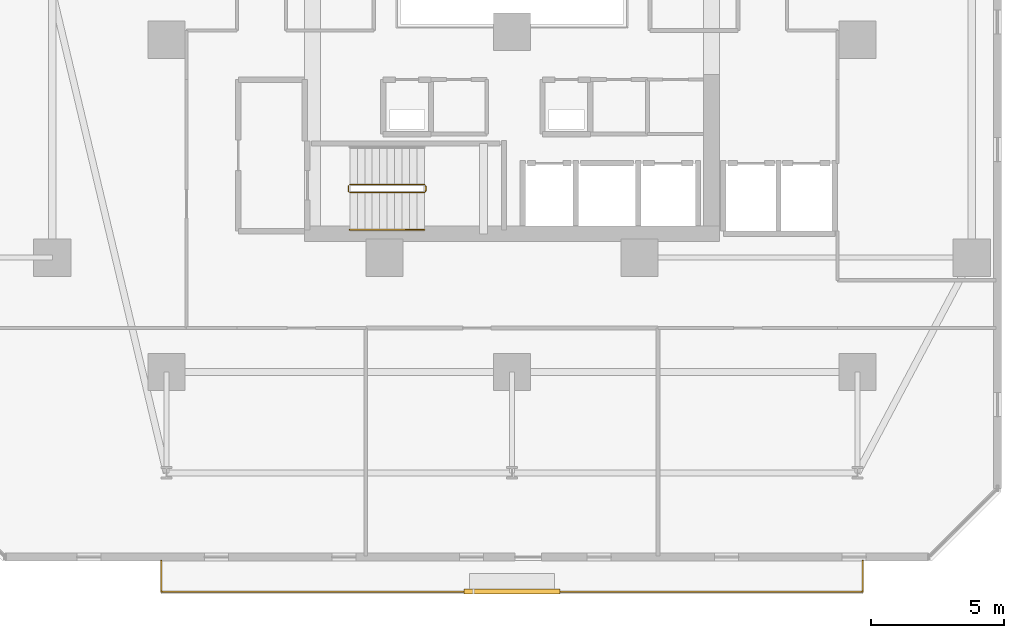
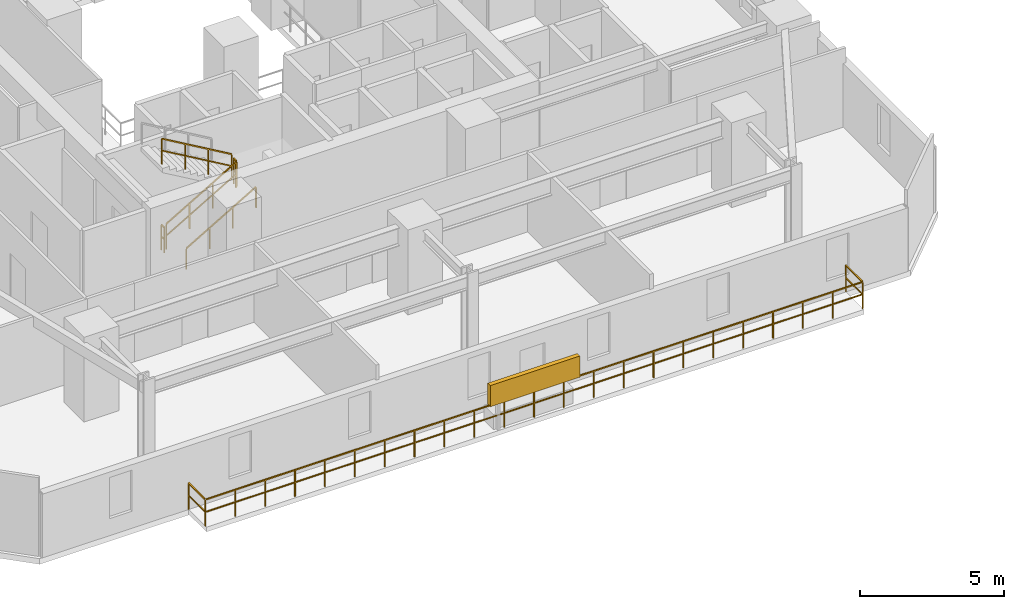
# One storey, part 29 of 33: 6 railings, 1 shading device.
"""IFC4 building model written with IfcOpenShell, lengths in metres."""

from ifc_helpers import new_model, si_unit, direction, frame, origin, origin_2d, place, context, subcontext, project, spatial, rectangle, extrude, material, type_object, element, save


model = new_model("IFC4")

# Units and contexts
model_context = context("Model", 3, precision=1e-05, world=origin(), true_north=direction((0.0, 1.0)))
body_context = subcontext(model_context, "Body", "Model", "MODEL_VIEW")
ifc_project = project(units=[si_unit("LENGTHUNIT", "METRE"), si_unit("AREAUNIT", "SQUARE_METRE"), si_unit("VOLUMEUNIT", "CUBIC_METRE"), si_unit("PLANEANGLEUNIT", "RADIAN"), si_unit("MASSUNIT", "GRAM", prefix="KILO")], contexts=[model_context])

# Site, building, storey
site_placement = place(None, origin())
site = spatial("IfcSite", under=ifc_project, at=site_placement, CompositionType="ELEMENT")
building_placement = place(site_placement, origin())
building = spatial("IfcBuilding", under=site, at=building_placement, Name="Thornwick Lancets Civic Towers", CompositionType="ELEMENT")
storey_placement = place(building_placement, frame((0.0, 0.0, 38.699951171875)))
storey = spatial("IfcBuildingStorey", under=building, at=storey_placement, Name="L09", CompositionType="ELEMENT", Elevation=38.699951171875)

# Railings
ifc_material_1 = material(Name="Brushed stainless steel S355", Category="steel")
railing_type_1 = type_object("IfcRailingType", Name="RAIL_HANDRAIL", PredefinedType="HANDRAIL", material=ifc_material_1)
railing_1_placement = place(storey_placement, frame((19.39990234375, 15.050048828125, 0.16357421875)))
element("IfcRailing", 1, at=railing_1_placement, inside=storey, type_object=railing_type_1, Name="L09 ST-A1 stair handrail 1", PredefinedType="HANDRAIL", context=body_context, shape_type="SweptSolid", body=[
    extrude(rectangle(XDim=0.048095703125, YDim=0.048095703125, at=origin_2d()), frame((0.0, 0.0, 0.8857421875), z_axis=(0.863360870873, 0.0, 0.504586966384), x_axis=(0.0, 1.0, 0.0)), (0.0, 0.0, 1.0), 3.2431640625),
    extrude(rectangle(XDim=0.0419921875, YDim=0.0419921875, at=origin_2d()), origin(), (0.0, 0.0, 1.0), 0.855712890625),
    extrude(rectangle(XDim=0.0419921875, YDim=0.0419921875, at=origin_2d()), frame((0.933349609375, 0.0, 0.54541015625)), (0.0, 0.0, 1.0), 0.855712890625),
    extrude(rectangle(XDim=0.0419921875, YDim=0.0419921875, at=origin_2d()), frame((1.86669921875, 0.0, 1.091064453125)), (0.0, 0.0, 1.0), 0.855712890625),
    extrude(rectangle(XDim=0.0419921875, YDim=0.0419921875, at=origin_2d()), frame((2.800048828125, 0.0, 1.636474609375)), (0.0, 0.0, 1.0), 0.855712890625),
])
ifc_material_2 = material(Name="Steel S355JR", Category="steel")
railing_type_2 = type_object("IfcRailingType", Name="RAIL_STAIR_GUARD", PredefinedType="GUARDRAIL", material=ifc_material_2)
railing_2_placement = place(storey_placement, frame((19.39990234375, 16.449951171875, 0.16357421875)))
element("IfcRailing", 2, at=railing_2_placement, inside=storey, type_object=railing_type_2, Name="L09 ST-A1 stair guard 1", PredefinedType="GUARDRAIL", context=body_context, shape_type="SweptSolid", body=[
    extrude(rectangle(XDim=0.048095703125, YDim=0.048095703125, at=origin_2d()), frame((0.0, 0.0, 1.076171875), z_axis=(0.863360870873, 0.0, 0.504586966384), x_axis=(0.0, 1.0, 0.0)), (0.0, 0.0, 1.0), 3.2431640625),
    extrude(rectangle(XDim=0.0419921875, YDim=0.0419921875, at=origin_2d()), frame((0.032470703125, 0.0, 0.591064453125), z_axis=(0.863360870873, 0.0, 0.504586966384), x_axis=(0.0, 1.0, 0.0)), (0.0, 0.0, 1.0), 1.006103515625),
    extrude(rectangle(XDim=0.0419921875, YDim=0.0419921875, at=origin_2d()), frame((0.9658203125, 0.0, 1.136474609375), z_axis=(0.863360870873, 0.0, 0.504586966384), x_axis=(0.0, 1.0, 0.0)), (0.0, 0.0, 1.0), 1.006103515625),
    extrude(rectangle(XDim=0.0419921875, YDim=0.0419921875, at=origin_2d()), frame((1.899169921875, 0.0, 1.681884765625), z_axis=(0.863360870873, 0.0, 0.504586966384), x_axis=(0.0, 1.0, 0.0)), (0.0, 0.0, 1.0), 1.006103515625),
    extrude(rectangle(XDim=0.0419921875, YDim=0.0419921875, at=origin_2d()), origin(), (0.0, 0.0, 1.0), 1.0458984375),
    extrude(rectangle(XDim=0.0419921875, YDim=0.0419921875, at=origin_2d()), frame((0.933349609375, 0.0, 0.54541015625)), (0.0, 0.0, 1.0), 1.0458984375),
    extrude(rectangle(XDim=0.0419921875, YDim=0.0419921875, at=origin_2d()), frame((1.86669921875, 0.0, 1.091064453125)), (0.0, 0.0, 1.0), 1.0458984375),
    extrude(rectangle(XDim=0.0419921875, YDim=0.0419921875, at=origin_2d()), frame((2.800048828125, 0.0, 1.636474609375)), (0.0, 0.0, 1.0), 1.0458984375),
])
railing_3_placement = place(storey_placement, frame((22.25, 16.5, 1.800048828125)))
element("IfcRailing", 3, at=railing_3_placement, inside=storey, type_object=railing_type_2, Name="L09 ST-A1 stair guard 2", PredefinedType="GUARDRAIL", context=body_context, shape_type="SweptSolid", body=[
    extrude(rectangle(XDim=0.048095703125, YDim=0.048095703125, at=origin_2d()), frame((0.0, 0.0, 1.076171875), z_axis=(0.0, 1.0, 0.0), x_axis=(-1.0, 0.0, 0.0)), (0.0, 0.0, 1.0), 0.199951171875),
    extrude(rectangle(XDim=0.0419921875, YDim=0.0419921875, at=origin_2d()), frame((0.0, 0.03759765625, 0.572021484375), z_axis=(0.0, 1.0, 0.0), x_axis=(-1.0, 0.0, 0.0)), (0.0, 0.0, 1.0), 0.125),
    extrude(rectangle(XDim=0.0419921875, YDim=0.0419921875, at=origin_2d()), origin(), (0.0, 0.0, 1.0), 1.0458984375),
    extrude(rectangle(XDim=0.0419921875, YDim=0.0419921875, at=origin_2d()), frame((0.0, 0.199951171875, 0.0)), (0.0, 0.0, 1.0), 1.0458984375),
])
railing_4_placement = place(storey_placement, frame((22.199951171875, 16.75, 1.963623046875)))
element("IfcRailing", 4, at=railing_4_placement, inside=storey, type_object=railing_type_2, Name="L09 ST-A1 stair guard 3", PredefinedType="GUARDRAIL", context=body_context, shape_type="SweptSolid", body=[
    extrude(rectangle(XDim=0.048095703125, YDim=0.048095703125, at=origin_2d()), frame((0.0, 0.0, 1.076171875), z_axis=(-0.863360870873, 0.0, 0.504586966384), x_axis=(0.0, -1.0, 0.0)), (0.0, 0.0, 1.0), 3.2431640625),
    extrude(rectangle(XDim=0.0419921875, YDim=0.0419921875, at=origin_2d()), frame((-0.032470703125, 0.0, 0.591064453125), z_axis=(-0.863360870873, 0.0, 0.504586966384), x_axis=(0.0, -1.0, 0.0)), (0.0, 0.0, 1.0), 1.006103515625),
    extrude(rectangle(XDim=0.0419921875, YDim=0.0419921875, at=origin_2d()), frame((-0.9658203125, 0.0, 1.136474609375), z_axis=(-0.863360870873, 0.0, 0.504586966384), x_axis=(0.0, -1.0, 0.0)), (0.0, 0.0, 1.0), 1.006103515625),
    extrude(rectangle(XDim=0.0419921875, YDim=0.0419921875, at=origin_2d()), frame((-1.899169921875, 0.0, 1.681884765625), z_axis=(-0.863360870873, 0.0, 0.504586966384), x_axis=(0.0, -1.0, 0.0)), (0.0, 0.0, 1.0), 1.006103515625),
    extrude(rectangle(XDim=0.0419921875, YDim=0.0419921875, at=origin_2d()), origin(), (0.0, 0.0, 1.0), 1.0458984375),
    extrude(rectangle(XDim=0.0419921875, YDim=0.0419921875, at=origin_2d()), frame((-0.933349609375, 0.0, 0.54541015625)), (0.0, 0.0, 1.0), 1.0458984375),
    extrude(rectangle(XDim=0.0419921875, YDim=0.0419921875, at=origin_2d()), frame((-1.86669921875, 0.0, 1.091064453125)), (0.0, 0.0, 1.0), 1.0458984375),
    extrude(rectangle(XDim=0.0419921875, YDim=0.0419921875, at=origin_2d()), frame((-2.800048828125, 0.0, 1.636474609375)), (0.0, 0.0, 1.0), 1.0458984375),
])
railing_5_placement = place(storey_placement, frame((19.35009765625, 16.5, 0.0)))
element("IfcRailing", 5, at=railing_5_placement, inside=storey, type_object=railing_type_2, Name="L09 ST-A1 stair guard 4", PredefinedType="GUARDRAIL", context=body_context, shape_type="SweptSolid", body=[
    extrude(rectangle(XDim=0.048095703125, YDim=0.048095703125, at=origin_2d()), frame((0.0, 0.0, 1.076171875), z_axis=(0.0, 1.0, 0.0), x_axis=(-1.0, 0.0, 0.0)), (0.0, 0.0, 1.0), 0.199951171875),
    extrude(rectangle(XDim=0.0419921875, YDim=0.0419921875, at=origin_2d()), frame((0.0, 0.03759765625, 0.572021484375), z_axis=(0.0, 1.0, 0.0), x_axis=(-1.0, 0.0, 0.0)), (0.0, 0.0, 1.0), 0.125),
    extrude(rectangle(XDim=0.0419921875, YDim=0.0419921875, at=origin_2d()), origin(), (0.0, 0.0, 1.0), 1.0458984375),
    extrude(rectangle(XDim=0.0419921875, YDim=0.0419921875, at=origin_2d()), frame((0.0, 0.199951171875, 0.0)), (0.0, 0.0, 1.0), 1.0458984375),
])
ifc_material_3 = material(Name="Terracotta-capped laminated glass balustrade S355", Category="masonry")
railing_type_3 = type_object("IfcRailingType", Name="RAIL_TERR_GUARD", PredefinedType="GUARDRAIL", material=ifc_material_3)
railing_6_placement = place(storey_placement, frame((12.300048828125, 2.60009765625, 0.0)))
element("IfcRailing", 6, at=railing_6_placement, inside=storey, type_object=railing_type_3, Name="L09 Tower A Balcony Guard S", PredefinedType="GUARDRAIL", context=body_context, shape_type="SweptSolid", body=[
    extrude(rectangle(XDim=0.048095703125, YDim=0.048095703125, at=origin_2d()), frame((0.0, 0.0, 1.1259765625), z_axis=(0.0, -1.0, 0.0), x_axis=(1.0, 0.0, 0.0)), (0.0, 0.0, 1.0), 1.138916015625),
    extrude(rectangle(XDim=0.0419921875, YDim=0.0419921875, at=origin_2d()), frame((0.0, -0.03759765625, 0.597900390625), z_axis=(0.0, -1.0, 0.0), x_axis=(1.0, 0.0, 0.0)), (0.0, 0.0, 1.0), 1.09521484375),
    extrude(rectangle(XDim=0.048095703125, YDim=0.048095703125, at=origin_2d()), frame((0.03125, -1.170166015625, 1.1259765625), z_axis=(1.0, 0.0, 0.0), x_axis=(0.0, 1.0, 0.0)), (0.0, 0.0, 1.0), 26.33740234375),
    extrude(rectangle(XDim=0.0419921875, YDim=0.0419921875, at=origin_2d()), frame((0.03759765625, -1.170166015625, 0.597900390625), z_axis=(1.0, 0.0, 0.0), x_axis=(0.0, 1.0, 0.0)), (0.0, 0.0, 1.0), 1.125),
    extrude(rectangle(XDim=0.0419921875, YDim=0.0419921875, at=origin_2d()), frame((1.237548828125, -1.170166015625, 0.597900390625), z_axis=(1.0, 0.0, 0.0), x_axis=(0.0, 1.0, 0.0)), (0.0, 0.0, 1.0), 1.125),
    extrude(rectangle(XDim=0.0419921875, YDim=0.0419921875, at=origin_2d()), frame((2.4375, -1.170166015625, 0.597900390625), z_axis=(1.0, 0.0, 0.0), x_axis=(0.0, 1.0, 0.0)), (0.0, 0.0, 1.0), 1.125),
    extrude(rectangle(XDim=0.0419921875, YDim=0.0419921875, at=origin_2d()), frame((3.637451171875, -1.170166015625, 0.597900390625), z_axis=(1.0, 0.0, 0.0), x_axis=(0.0, 1.0, 0.0)), (0.0, 0.0, 1.0), 1.125),
    extrude(rectangle(XDim=0.0419921875, YDim=0.0419921875, at=origin_2d()), frame((4.83740234375, -1.170166015625, 0.597900390625), z_axis=(1.0, 0.0, 0.0), x_axis=(0.0, 1.0, 0.0)), (0.0, 0.0, 1.0), 1.125),
    extrude(rectangle(XDim=0.0419921875, YDim=0.0419921875, at=origin_2d()), frame((6.037353515625, -1.170166015625, 0.597900390625), z_axis=(1.0, 0.0, 0.0), x_axis=(0.0, 1.0, 0.0)), (0.0, 0.0, 1.0), 1.125),
    extrude(rectangle(XDim=0.0419921875, YDim=0.0419921875, at=origin_2d()), frame((7.237548828125, -1.170166015625, 0.597900390625), z_axis=(1.0, 0.0, 0.0), x_axis=(0.0, 1.0, 0.0)), (0.0, 0.0, 1.0), 1.125),
    extrude(rectangle(XDim=0.0419921875, YDim=0.0419921875, at=origin_2d()), frame((8.4375, -1.170166015625, 0.597900390625), z_axis=(1.0, 0.0, 0.0), x_axis=(0.0, 1.0, 0.0)), (0.0, 0.0, 1.0), 1.125),
    extrude(rectangle(XDim=0.0419921875, YDim=0.0419921875, at=origin_2d()), frame((9.637451171875, -1.170166015625, 0.597900390625), z_axis=(1.0, 0.0, 0.0), x_axis=(0.0, 1.0, 0.0)), (0.0, 0.0, 1.0), 1.125),
    extrude(rectangle(XDim=0.0419921875, YDim=0.0419921875, at=origin_2d()), frame((10.83740234375, -1.170166015625, 0.597900390625), z_axis=(1.0, 0.0, 0.0), x_axis=(0.0, 1.0, 0.0)), (0.0, 0.0, 1.0), 1.125),
    extrude(rectangle(XDim=0.0419921875, YDim=0.0419921875, at=origin_2d()), frame((12.037353515625, -1.170166015625, 0.597900390625), z_axis=(1.0, 0.0, 0.0), x_axis=(0.0, 1.0, 0.0)), (0.0, 0.0, 1.0), 1.125),
    extrude(rectangle(XDim=0.0419921875, YDim=0.0419921875, at=origin_2d()), frame((13.237548828125, -1.170166015625, 0.597900390625), z_axis=(1.0, 0.0, 0.0), x_axis=(0.0, 1.0, 0.0)), (0.0, 0.0, 1.0), 1.125),
    extrude(rectangle(XDim=0.0419921875, YDim=0.0419921875, at=origin_2d()), frame((14.4375, -1.170166015625, 0.597900390625), z_axis=(1.0, 0.0, 0.0), x_axis=(0.0, 1.0, 0.0)), (0.0, 0.0, 1.0), 1.125),
    extrude(rectangle(XDim=0.0419921875, YDim=0.0419921875, at=origin_2d()), frame((15.637451171875, -1.170166015625, 0.597900390625), z_axis=(1.0, 0.0, 0.0), x_axis=(0.0, 1.0, 0.0)), (0.0, 0.0, 1.0), 1.125),
    extrude(rectangle(XDim=0.0419921875, YDim=0.0419921875, at=origin_2d()), frame((16.83740234375, -1.170166015625, 0.597900390625), z_axis=(1.0, 0.0, 0.0), x_axis=(0.0, 1.0, 0.0)), (0.0, 0.0, 1.0), 1.125),
    extrude(rectangle(XDim=0.0419921875, YDim=0.0419921875, at=origin_2d()), frame((18.037353515625, -1.170166015625, 0.597900390625), z_axis=(1.0, 0.0, 0.0), x_axis=(0.0, 1.0, 0.0)), (0.0, 0.0, 1.0), 1.125),
    extrude(rectangle(XDim=0.0419921875, YDim=0.0419921875, at=origin_2d()), frame((19.2373046875, -1.170166015625, 0.597900390625), z_axis=(1.0, 0.0, 0.0), x_axis=(0.0, 1.0, 0.0)), (0.0, 0.0, 1.0), 1.125),
    extrude(rectangle(XDim=0.0419921875, YDim=0.0419921875, at=origin_2d()), frame((20.4375, -1.170166015625, 0.597900390625), z_axis=(1.0, 0.0, 0.0), x_axis=(0.0, 1.0, 0.0)), (0.0, 0.0, 1.0), 1.125),
    extrude(rectangle(XDim=0.0419921875, YDim=0.0419921875, at=origin_2d()), frame((21.637451171875, -1.170166015625, 0.597900390625), z_axis=(1.0, 0.0, 0.0), x_axis=(0.0, 1.0, 0.0)), (0.0, 0.0, 1.0), 1.125),
    extrude(rectangle(XDim=0.0419921875, YDim=0.0419921875, at=origin_2d()), frame((22.83740234375, -1.170166015625, 0.597900390625), z_axis=(1.0, 0.0, 0.0), x_axis=(0.0, 1.0, 0.0)), (0.0, 0.0, 1.0), 1.125),
    extrude(rectangle(XDim=0.0419921875, YDim=0.0419921875, at=origin_2d()), frame((24.037353515625, -1.170166015625, 0.597900390625), z_axis=(1.0, 0.0, 0.0), x_axis=(0.0, 1.0, 0.0)), (0.0, 0.0, 1.0), 1.125),
    extrude(rectangle(XDim=0.0419921875, YDim=0.0419921875, at=origin_2d()), frame((25.2373046875, -1.170166015625, 0.597900390625), z_axis=(1.0, 0.0, 0.0), x_axis=(0.0, 1.0, 0.0)), (0.0, 0.0, 1.0), 1.125),
    extrude(rectangle(XDim=0.048095703125, YDim=0.048095703125, at=origin_2d()), frame((26.39990234375, -1.138916015625, 1.1259765625), z_axis=(0.0, 1.0, 0.0), x_axis=(-1.0, 0.0, 0.0)), (0.0, 0.0, 1.0), 1.138916015625),
    extrude(rectangle(XDim=0.0419921875, YDim=0.0419921875, at=origin_2d()), frame((26.39990234375, -1.132568359375, 0.597900390625), z_axis=(0.0, 1.0, 0.0), x_axis=(-1.0, 0.0, 0.0)), (0.0, 0.0, 1.0), 1.09521484375),
    extrude(rectangle(XDim=0.0419921875, YDim=0.0419921875, at=origin_2d()), origin(), (0.0, 0.0, 1.0), 1.095703125),
    extrude(rectangle(XDim=0.0419921875, YDim=0.0419921875, at=origin_2d()), frame((0.0, -1.170166015625, 0.0)), (0.0, 0.0, 1.0), 1.095703125),
    extrude(rectangle(XDim=0.0419921875, YDim=0.0419921875, at=origin_2d()), frame((1.199951171875, -1.170166015625, 0.0)), (0.0, 0.0, 1.0), 1.095703125),
    extrude(rectangle(XDim=0.0419921875, YDim=0.0419921875, at=origin_2d()), frame((2.39990234375, -1.170166015625, 0.0)), (0.0, 0.0, 1.0), 1.095703125),
    extrude(rectangle(XDim=0.0419921875, YDim=0.0419921875, at=origin_2d()), frame((3.60009765625, -1.170166015625, 0.0)), (0.0, 0.0, 1.0), 1.095703125),
    extrude(rectangle(XDim=0.0419921875, YDim=0.0419921875, at=origin_2d()), frame((4.800048828125, -1.170166015625, 0.0)), (0.0, 0.0, 1.0), 1.095703125),
    extrude(rectangle(XDim=0.0419921875, YDim=0.0419921875, at=origin_2d()), frame((6.0, -1.170166015625, 0.0)), (0.0, 0.0, 1.0), 1.095703125),
    extrude(rectangle(XDim=0.0419921875, YDim=0.0419921875, at=origin_2d()), frame((7.199951171875, -1.170166015625, 0.0)), (0.0, 0.0, 1.0), 1.095703125),
    extrude(rectangle(XDim=0.0419921875, YDim=0.0419921875, at=origin_2d()), frame((8.39990234375, -1.170166015625, 0.0)), (0.0, 0.0, 1.0), 1.095703125),
    extrude(rectangle(XDim=0.0419921875, YDim=0.0419921875, at=origin_2d()), frame((9.599853515625, -1.170166015625, 0.0)), (0.0, 0.0, 1.0), 1.095703125),
    extrude(rectangle(XDim=0.0419921875, YDim=0.0419921875, at=origin_2d()), frame((10.800048828125, -1.170166015625, 0.0)), (0.0, 0.0, 1.0), 1.095703125),
    extrude(rectangle(XDim=0.0419921875, YDim=0.0419921875, at=origin_2d()), frame((12.0, -1.170166015625, 0.0)), (0.0, 0.0, 1.0), 1.095703125),
    extrude(rectangle(XDim=0.0419921875, YDim=0.0419921875, at=origin_2d()), frame((13.199951171875, -1.170166015625, 0.0)), (0.0, 0.0, 1.0), 1.095703125),
    extrude(rectangle(XDim=0.0419921875, YDim=0.0419921875, at=origin_2d()), frame((14.39990234375, -1.170166015625, 0.0)), (0.0, 0.0, 1.0), 1.095703125),
    extrude(rectangle(XDim=0.0419921875, YDim=0.0419921875, at=origin_2d()), frame((15.599853515625, -1.170166015625, 0.0)), (0.0, 0.0, 1.0), 1.095703125),
    extrude(rectangle(XDim=0.0419921875, YDim=0.0419921875, at=origin_2d()), frame((16.800048828125, -1.170166015625, 0.0)), (0.0, 0.0, 1.0), 1.095703125),
    extrude(rectangle(XDim=0.0419921875, YDim=0.0419921875, at=origin_2d()), frame((18.0, -1.170166015625, 0.0)), (0.0, 0.0, 1.0), 1.095703125),
    extrude(rectangle(XDim=0.0419921875, YDim=0.0419921875, at=origin_2d()), frame((19.199951171875, -1.170166015625, 0.0)), (0.0, 0.0, 1.0), 1.095703125),
    extrude(rectangle(XDim=0.0419921875, YDim=0.0419921875, at=origin_2d()), frame((20.39990234375, -1.170166015625, 0.0)), (0.0, 0.0, 1.0), 1.095703125),
    extrude(rectangle(XDim=0.0419921875, YDim=0.0419921875, at=origin_2d()), frame((21.599853515625, -1.170166015625, 0.0)), (0.0, 0.0, 1.0), 1.095703125),
    extrude(rectangle(XDim=0.0419921875, YDim=0.0419921875, at=origin_2d()), frame((22.7998046875, -1.170166015625, 0.0)), (0.0, 0.0, 1.0), 1.095703125),
    extrude(rectangle(XDim=0.0419921875, YDim=0.0419921875, at=origin_2d()), frame((24.0, -1.170166015625, 0.0)), (0.0, 0.0, 1.0), 1.095703125),
    extrude(rectangle(XDim=0.0419921875, YDim=0.0419921875, at=origin_2d()), frame((25.199951171875, -1.170166015625, 0.0)), (0.0, 0.0, 1.0), 1.095703125),
    extrude(rectangle(XDim=0.0419921875, YDim=0.0419921875, at=origin_2d()), frame((26.39990234375, -1.170166015625, 0.0)), (0.0, 0.0, 1.0), 1.095703125),
    extrude(rectangle(XDim=0.0419921875, YDim=0.0419921875, at=origin_2d()), frame((26.39990234375, 0.0, 0.0)), (0.0, 0.0, 1.0), 1.095703125),
])

# Shading device
ifc_material_4 = material(Name="Extruded terracotta baguette solar screen", Category="masonry")
shading_device_type = type_object("IfcShadingDeviceType", Name="SHADE_BAGUETTE", PredefinedType="JALOUSIE", material=ifc_material_4)
shading_device_placement = place(storey_placement, frame((25.5, 1.43994140625, 1.1201171875), z_axis=(0.0, 0.0, 1.0), x_axis=(1.0, 0.0, 0.0)))
element("IfcShadingDevice", 7, at=shading_device_placement, inside=storey, type_object=shading_device_type, Name="L09 Tower A Terracotta Baguette Screen S", PredefinedType="JALOUSIE", context=body_context, shape_type="SweptSolid", body=[
    extrude(rectangle(XDim=3.60009765625, YDim=0.179931640625, at=origin_2d()), origin(), (0.0, 0.0, 1.0), 0.89990234375),
])

save(model, "model.ifc")
